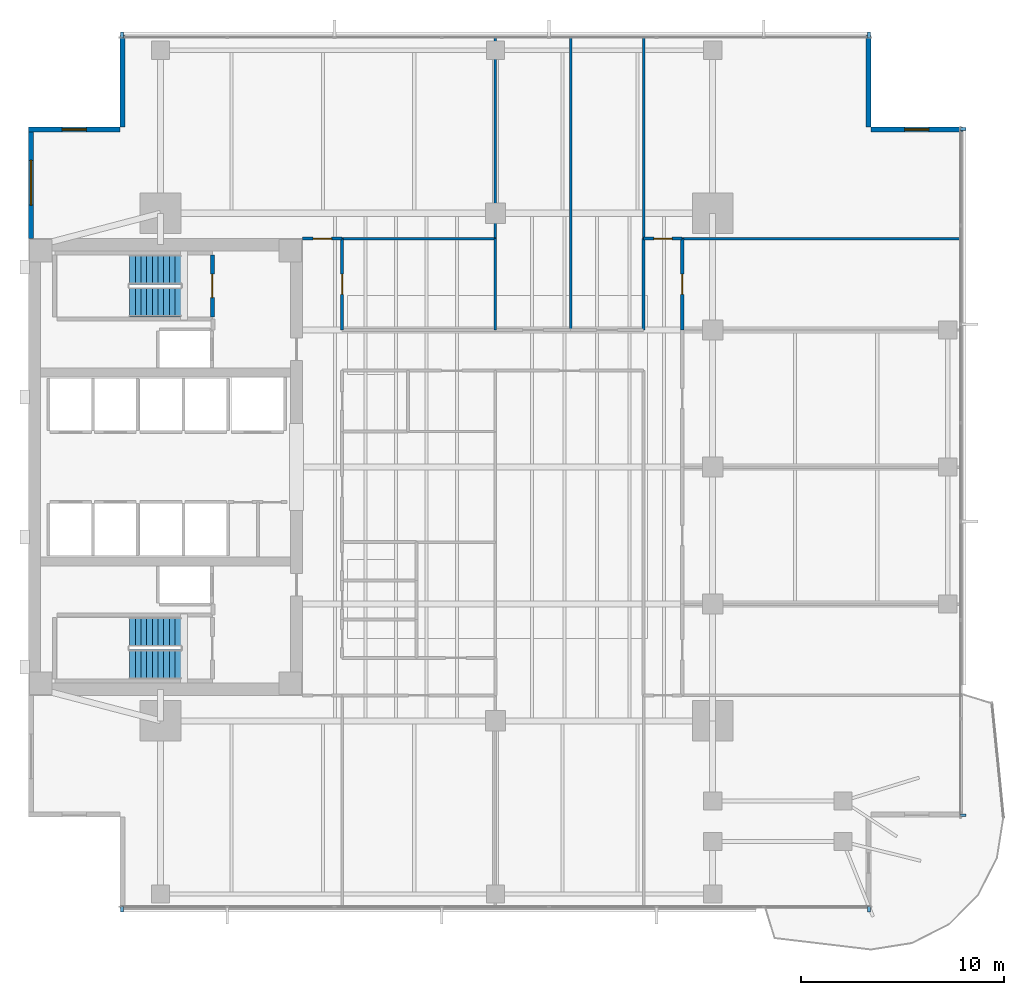
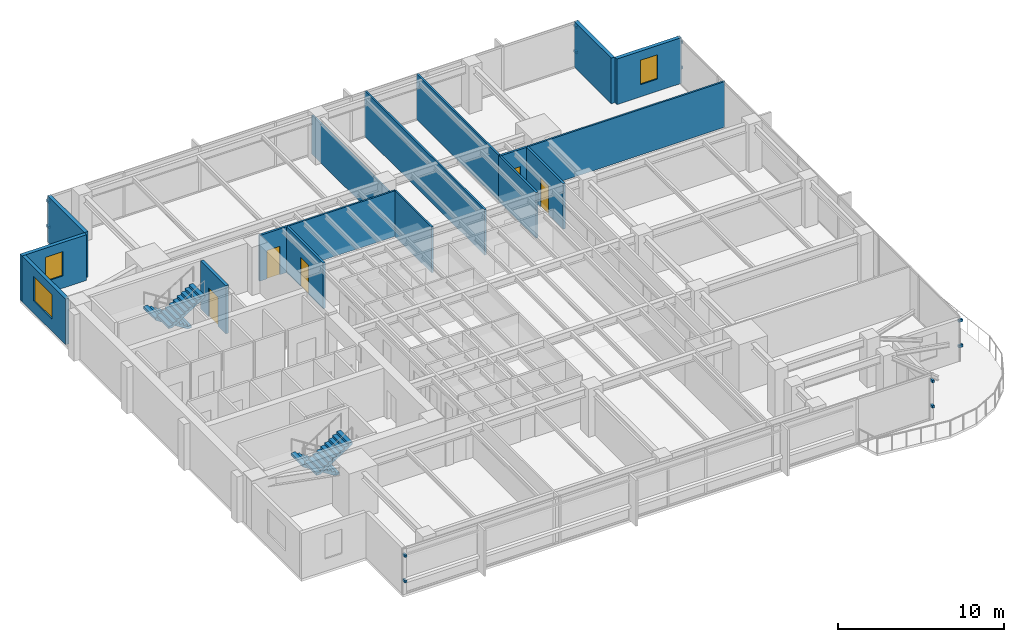
# One storey, part 10 of 14: 17 walls, 12 discrete accessories, 5 doors, 4 stair flights, 3 windows, 8 openings, 2 elements without a shape of their own.
"""IFC4 building model written with IfcOpenShell, lengths in metres."""

from ifc_helpers import new_model, si_unit, direction, frame, frame_2d, origin, origin_2d, place, context, subcontext, project, spatial, polyline, rectangle, outline, extrude, material, layer, layer_set, type_object, element, fill, aggregate, save


model = new_model("IFC4")

# Units and contexts
model_context = context("Model", 3, precision=1e-05, world=origin(), true_north=direction((0.0, 1.0)))
body_context = subcontext(model_context, "Body", "Model", "MODEL_VIEW")
ifc_project = project(units=[si_unit("LENGTHUNIT", "METRE"), si_unit("AREAUNIT", "SQUARE_METRE"), si_unit("VOLUMEUNIT", "CUBIC_METRE"), si_unit("PLANEANGLEUNIT", "RADIAN"), si_unit("MASSUNIT", "GRAM", prefix="KILO")], contexts=[model_context])

# Site, building, storey
site_placement = place(None, origin())
site = spatial("IfcSite", under=ifc_project, at=site_placement, CompositionType="ELEMENT")
building_placement = place(site_placement, origin())
building = spatial("IfcBuilding", under=site, at=building_placement, Name="Kinhvarn Gate Tower", CompositionType="ELEMENT")
storey_placement = place(building_placement, frame((0.0, 0.0, 155.5)))
storey = spatial("IfcBuildingStorey", under=building, at=storey_placement, Name="L41", CompositionType="ELEMENT", Elevation=155.5)

# Wall, opening, window
ifc_material_1 = material(Name="Fired architectural terracotta", Category="masonry")
ifc_layer_1 = layer(ifc_material_1, 0.25)
ifc_layer_set_1 = layer_set([ifc_layer_1], Name="Fired architectural terracotta")
wall_type_1 = type_object("IfcWallType", Name="WL-EXT-250", PredefinedType="SOLIDWALL", material=ifc_layer_set_1)
wall_1_placement = place(storey_placement, frame((4.625, 42.0, 0.0), z_axis=(0.0, 0.0, 1.0), x_axis=(0.0, -1.0, 0.0)))
wall_1 = element("IfcWall", 1, at=wall_1_placement, inside=storey, type_object=wall_type_1, Name="Exterior Solidwall Wall EW-250 (L41 West-North)", PredefinedType="SOLIDWALL", context=body_context, shape_type="SweptSolid", body=[
    extrude(rectangle(XDim=5.5, YDim=0.25, at=frame_2d((2.75, 0.0))), origin(), (0.0, 0.0, 1.0), 3.3701171875),
])
opening_1_placement = place(wall_1_placement, frame((1.64990234375, 0.0, 0.89990234375)))
opening_1 = element("IfcOpeningElement", 2, at=opening_1_placement, cuts=wall_1, Name="Opening WN-01", PredefinedType="OPENING", context=body_context, shape_type="SweptSolid", body=[
    extrude(rectangle(XDim=2.199951171875, YDim=1.800048828125, at=frame_2d((1.10009765625, 0.89990234375))), frame((0.0, 0.135009765625, 0.0), z_axis=(0.0, -1.0, 0.0), x_axis=(1.0, 0.0, 0.0)), (0.0, 0.0, 1.0), 0.27001953125),
])
ifc_material_2 = material(Name="Clear low-e double glazing", Category="glass")
window_type_1 = type_object("IfcWindowType", Name="WIN-RIB-2200", PartitioningType="SINGLE_PANEL", PredefinedType="WINDOW", material=ifc_material_2)
window_1_placement = place(opening_1_placement, origin())
window_1 = element("IfcWindow", 3, at=window_1_placement, inside=storey, type_object=window_type_1, Name="West Flank Double-Glazed Ribbon Window 2200x1800 mm (L41)", OverallHeight=1.800048828125, OverallWidth=2.199951171875, PartitioningType="SINGLE_PANEL", PredefinedType="WINDOW", context=body_context, shape_type="SweptSolid", body=[
    extrude(rectangle(XDim=2.199951171875, YDim=1.800048828125, at=frame_2d((1.10009765625, 0.89990234375))), frame((0.0, 0.030029296875, 0.0), z_axis=(0.0, -1.0, 0.0), x_axis=(1.0, 0.0, 0.0)), (0.0, 0.0, 1.0), 0.06005859375),
])
fill(opening_1, window_1)

wall_2_placement = place(storey_placement, frame((50.5, 41.875, 0.0), z_axis=(0.0, 0.0, 1.0), x_axis=(-1.0, 0.0, 0.0)))
wall_2 = element("IfcWall", 4, at=wall_2_placement, inside=storey, type_object=wall_type_1, Name="Exterior Solidwall Wall EW-250 (L41 NE-Notch-1)", PredefinedType="SOLIDWALL", context=body_context, shape_type="SweptSolid", body=[
    extrude(rectangle(XDim=4.5, YDim=0.25, at=frame_2d((2.25, 0.0))), origin(), (0.0, 0.0, 1.0), 3.3701171875),
])
opening_2_placement = place(wall_2_placement, frame((1.64990234375, 0.0, 0.89990234375)))
opening_2 = element("IfcOpeningElement", 5, at=opening_2_placement, cuts=wall_2, Name="Opening WN-02", PredefinedType="OPENING", context=body_context, shape_type="SweptSolid", body=[
    extrude(rectangle(XDim=1.199951171875, YDim=1.800048828125, at=frame_2d((0.60009765625, 0.89990234375))), frame((0.0, 0.135009765625, 0.0), z_axis=(0.0, -1.0, 0.0), x_axis=(1.0, 0.0, 0.0)), (0.0, 0.0, 1.0), 0.27001953125),
])
window_type_2 = type_object("IfcWindowType", Name="WIN-NTC-1200", PartitioningType="SINGLE_PANEL", PredefinedType="WINDOW", material=ifc_material_2)
window_2_placement = place(opening_2_placement, origin())
window_2 = element("IfcWindow", 6, at=window_2_placement, inside=storey, type_object=window_type_2, Name="Recessed Corner Notch Punched Window 1200x1800 mm (L41)", OverallHeight=1.800048828125, OverallWidth=1.199951171875, PartitioningType="SINGLE_PANEL", PredefinedType="WINDOW", context=body_context, shape_type="SweptSolid", body=[
    extrude(rectangle(XDim=1.199951171875, YDim=1.800048828125, at=frame_2d((0.60009765625, 0.89990234375))), frame((0.0, 0.030029296875, 0.0), z_axis=(0.0, -1.0, 0.0), x_axis=(1.0, 0.0, 0.0)), (0.0, 0.0, 1.0), 0.06005859375),
])
fill(opening_2, window_2)

# Walls
for number, where, z_axis, x_axis, name in (
    (7, (45.875, 42.0, 0.0), (0.0, 0.0, 1.0), (0.0, 1.0, 0.0), "Exterior Solidwall Wall EW-250 (L41 NE-Notch-2)"),
    (8, (9.125, 46.5, 0.0), (0.0, 0.0, 1.0), (0.0, -1.0, 0.0), "Exterior Solidwall Wall EW-250 (L41 NW-Notch-1)"),
):
    element("IfcWall", number, at=place(storey_placement, frame(where, z_axis=z_axis, x_axis=x_axis)), inside=storey, type_object=wall_type_1, Name=name, PredefinedType="SOLIDWALL", context=body_context, shape_type="SweptSolid", body=[
        extrude(rectangle(XDim=4.5, YDim=0.25, at=frame_2d((2.25, 0.0))), origin(), (0.0, 0.0, 1.0), 3.3701171875),
    ])

# Wall, opening, window
wall_3_placement = place(storey_placement, frame((9.0, 41.875, 0.0), z_axis=(0.0, 0.0, 1.0), x_axis=(-1.0, 0.0, 0.0)))
wall_3 = element("IfcWall", 9, at=wall_3_placement, inside=storey, type_object=wall_type_1, Name="Exterior Solidwall Wall EW-250 (L41 NW-Notch-2)", PredefinedType="SOLIDWALL", context=body_context, shape_type="SweptSolid", body=[
    extrude(rectangle(XDim=4.5, YDim=0.25, at=frame_2d((2.25, 0.0))), origin(), (0.0, 0.0, 1.0), 3.3701171875),
])
opening_3_placement = place(wall_3_placement, frame((1.64990234375, 0.0, 0.89990234375)))
opening_3 = element("IfcOpeningElement", 10, at=opening_3_placement, cuts=wall_3, Name="Opening WN-02", PredefinedType="OPENING", context=body_context, shape_type="SweptSolid", body=[
    extrude(rectangle(XDim=1.199951171875, YDim=1.800048828125, at=frame_2d((0.60009765625, 0.89990234375))), frame((0.0, 0.135009765625, 0.0), z_axis=(0.0, -1.0, 0.0), x_axis=(1.0, 0.0, 0.0)), (0.0, 0.0, 1.0), 0.27001953125),
])
window_3_placement = place(opening_3_placement, origin())
window_3 = element("IfcWindow", 11, at=window_3_placement, inside=storey, type_object=window_type_2, Name="Recessed Corner Notch Punched Window 1200x1800 mm (L41)", OverallHeight=1.800048828125, OverallWidth=1.199951171875, PartitioningType="SINGLE_PANEL", PredefinedType="WINDOW", context=body_context, shape_type="SweptSolid", body=[
    extrude(rectangle(XDim=1.199951171875, YDim=1.800048828125, at=frame_2d((0.60009765625, 0.89990234375))), frame((0.0, 0.030029296875, 0.0), z_axis=(0.0, -1.0, 0.0), x_axis=(1.0, 0.0, 0.0)), (0.0, 0.0, 1.0), 0.06005859375),
])
fill(opening_3, window_3)

# Walls
ifc_material_3 = material(Name="Gypsum acoustic partition board")
ifc_layer_2 = layer(ifc_material_3, 0.1201171875)
ifc_layer_set_2 = layer_set([ifc_layer_2], Name="Gypsum acoustic partition board")
wall_type_2 = type_object("IfcWallType", Name="WL-PRT-120", PredefinedType="PARTITIONING", material=ifc_layer_set_2)
wall_4_placement = place(storey_placement, frame((19.949951171875, 36.5, 0.0), z_axis=(0.0, 0.0, 1.0), x_axis=(1.0, 0.0, 0.0)))
element("IfcWall", 12, at=wall_4_placement, inside=storey, type_object=wall_type_2, Name="Interior Partition PW-120 (L41)", PredefinedType="PARTITIONING", context=body_context, shape_type="SweptSolid", body=[
    extrude(rectangle(XDim=7.550048828125, YDim=0.1201171875, at=frame_2d((3.77490234375, 0.0))), origin(), (0.0, 0.0, 1.0), 3.3701171875),
])
wall_5_placement = place(storey_placement, frame((27.5, 32.0, 0.0), z_axis=(0.0, 0.0, 1.0), x_axis=(0.0, 1.0, 0.0)))
element("IfcWall", 13, at=wall_5_placement, inside=storey, type_object=wall_type_2, Name="Interior Partition PW-120 (L41)", PredefinedType="PARTITIONING", context=body_context, shape_type="SweptSolid", body=[
    extrude(rectangle(XDim=4.5, YDim=0.1201171875, at=frame_2d((2.25, 0.0))), origin(), (0.0, 0.0, 1.0), 3.3701171875),
])
wall_6_placement = place(storey_placement, frame((27.5, 36.5, 0.0), z_axis=(0.0, 0.0, 1.0), x_axis=(0.0, 1.0, 0.0)))
element("IfcWall", 14, at=wall_6_placement, inside=storey, type_object=wall_type_2, Name="Interior Partition PW-120 (L41)", PredefinedType="PARTITIONING", context=body_context, shape_type="SweptSolid", body=[
    extrude(rectangle(XDim=9.989990234375, YDim=0.1201171875, at=frame_2d((4.9951171875, 0.0))), origin(), (0.0, 0.0, 1.0), 2.8701171875),
])
wall_7_placement = place(storey_placement, frame((31.199951171875, 32.0, 0.0), z_axis=(0.0, 0.0, 1.0), x_axis=(0.0, 1.0, 0.0)))
element("IfcWall", 15, at=wall_7_placement, inside=storey, type_object=wall_type_2, Name="Interior Partition PW-120 (L41)", PredefinedType="PARTITIONING", context=body_context, shape_type="SweptSolid", body=[
    extrude(rectangle(XDim=14.489990234375, YDim=0.1201171875, at=frame_2d((7.2451171875, 0.0))), origin(), (0.0, 0.0, 1.0), 3.3701171875),
])
wall_8_placement = place(storey_placement, frame((34.800048828125, 36.5, 0.0), z_axis=(0.0, 0.0, 1.0), x_axis=(0.0, 1.0, 0.0)))
element("IfcWall", 16, at=wall_8_placement, inside=storey, type_object=wall_type_2, Name="Interior Partition PW-120 (L41)", PredefinedType="PARTITIONING", context=body_context, shape_type="SweptSolid", body=[
    extrude(rectangle(XDim=9.989990234375, YDim=0.1201171875, at=frame_2d((4.9951171875, 0.0))), origin(), (0.0, 0.0, 1.0), 3.3701171875),
])
wall_9_placement = place(storey_placement, frame((36.699951171875, 36.5, 0.0), z_axis=(0.0, 0.0, 1.0), x_axis=(1.0, 0.0, 0.0)))
element("IfcWall", 17, at=wall_9_placement, inside=storey, type_object=wall_type_2, Name="Interior Partition PW-120 (L41)", PredefinedType="PARTITIONING", context=body_context, shape_type="SweptSolid", body=[
    extrude(rectangle(XDim=13.7900390625, YDim=0.1201171875, at=frame_2d((6.89501953125, 0.0))), origin(), (0.0, 0.0, 1.0), 3.3701171875),
])

# Wall, opening, door
ifc_layer_3 = layer(ifc_material_3, 0.14990234375)
ifc_layer_set_3 = layer_set([ifc_layer_3], Name="Gypsum acoustic partition board")
wall_type_3 = type_object("IfcWallType", Name="WL-PRT-150F", PredefinedType="PARTITIONING", material=ifc_layer_set_3)
wall_10_placement = place(storey_placement, frame((19.949951171875, 32.0, 0.0), z_axis=(0.0, 0.0, 1.0), x_axis=(0.0, 1.0, 0.0)))
wall_10 = element("IfcWall", 18, at=wall_10_placement, inside=storey, type_object=wall_type_3, Name="Interior Partition PW-150F (L41)", PredefinedType="PARTITIONING", context=body_context, shape_type="SweptSolid", body=[
    extrude(rectangle(XDim=4.5, YDim=0.14990234375, at=frame_2d((2.25, 0.0))), origin(), (0.0, 0.0, 1.0), 3.3701171875),
])
opening_4_placement = place(wall_10_placement, frame((1.75, 0.0, 0.0)))
opening_4 = element("IfcOpeningElement", 19, at=opening_4_placement, cuts=wall_10, Name="Opening ID-02", PredefinedType="OPENING", context=body_context, shape_type="SweptSolid", body=[
    extrude(rectangle(XDim=1.0, YDim=2.14990234375, at=frame_2d((0.5, 1.074951171875))), frame((0.0, 0.0849609375, 0.0), z_axis=(0.0, -1.0, 0.0), x_axis=(1.0, 0.0, 0.0)), (0.0, 0.0, 1.0), 0.169921875),
])
ifc_material_4 = material(Name="Anodised aluminium AW-6063", Category="aluminium")
door_type_1 = type_object("IfcDoorType", Name="DR-INT-1000", OperationType="NOTDEFINED", PredefinedType="DOOR", material=ifc_material_4)
door_1_placement = place(opening_4_placement, origin())
door_1 = element("IfcDoor", 20, at=door_1_placement, inside=storey, type_object=door_type_1, Name="Standard Office & Meeting Room Door 1000x2150 mm (L41)", OperationType="SINGLE_SWING_RIGHT", OverallHeight=2.14990234375, OverallWidth=1.0, PredefinedType="DOOR", context=body_context, shape_type="SweptSolid", body=[
    extrude(rectangle(XDim=1.0, YDim=2.14990234375, at=frame_2d((0.5, 1.074951171875))), frame((0.0, 0.02490234375, 0.0), z_axis=(0.0, -1.0, 0.0), x_axis=(1.0, 0.0, 0.0)), (0.0, 0.0, 1.0), 0.050048828125),
])
fill(opening_4, door_1)

wall_11_placement = place(storey_placement, frame((18.0, 36.5, 0.0), z_axis=(0.0, 0.0, 1.0), x_axis=(1.0, 0.0, 0.0)))
wall_11 = element("IfcWall", 21, at=wall_11_placement, inside=storey, type_object=wall_type_3, Name="Interior Partition PW-150F (L41)", PredefinedType="PARTITIONING", context=body_context, shape_type="SweptSolid", body=[
    extrude(rectangle(XDim=1.949951171875, YDim=0.14990234375, at=frame_2d((0.97509765625, 0.0))), origin(), (0.0, 0.0, 1.0), 3.3701171875),
])
opening_5_placement = place(wall_11_placement, frame((0.52490234375, 0.0, 0.0)))
opening_5 = element("IfcOpeningElement", 22, at=opening_5_placement, cuts=wall_11, Name="Opening ID-03", PredefinedType="OPENING", context=body_context, shape_type="SweptSolid", body=[
    extrude(rectangle(XDim=0.89990234375, YDim=2.10009765625, at=frame_2d((0.449951171875, 1.050048828125))), frame((0.0, 0.0849609375, 0.0), z_axis=(0.0, -1.0, 0.0), x_axis=(1.0, 0.0, 0.0)), (0.0, 0.0, 1.0), 0.169921875),
])
door_type_2 = type_object("IfcDoorType", Name="DR-INT-900", OperationType="NOTDEFINED", PredefinedType="DOOR", material=ifc_material_4)
door_2_placement = place(opening_5_placement, origin())
door_2 = element("IfcDoor", 23, at=door_2_placement, inside=storey, type_object=door_type_2, Name="Cellular Office & Restroom Door 900x2100 mm (L41)", OperationType="SINGLE_SWING_RIGHT", OverallHeight=2.10009765625, OverallWidth=0.89990234375, PredefinedType="DOOR", context=body_context, shape_type="SweptSolid", body=[
    extrude(rectangle(XDim=0.89990234375, YDim=2.10009765625, at=frame_2d((0.449951171875, 1.050048828125))), frame((0.0, 0.02490234375, 0.0), z_axis=(0.0, -1.0, 0.0), x_axis=(1.0, 0.0, 0.0)), (0.0, 0.0, 1.0), 0.050048828125),
])
fill(opening_5, door_2)

# Wall
wall_12_placement = place(storey_placement, frame((34.800048828125, 32.0, 0.0), z_axis=(0.0, 0.0, 1.0), x_axis=(0.0, 1.0, 0.0)))
element("IfcWall", 24, at=wall_12_placement, inside=storey, type_object=wall_type_3, Name="Interior Partition PW-150F (L41)", PredefinedType="PARTITIONING", context=body_context, shape_type="SweptSolid", body=[
    extrude(rectangle(XDim=4.5, YDim=0.14990234375, at=frame_2d((2.25, 0.0))), origin(), (0.0, 0.0, 1.0), 3.3701171875),
])

# Wall, opening, door
wall_13_placement = place(storey_placement, frame((36.699951171875, 32.0, 0.0), z_axis=(0.0, 0.0, 1.0), x_axis=(0.0, 1.0, 0.0)))
wall_13 = element("IfcWall", 25, at=wall_13_placement, inside=storey, type_object=wall_type_3, Name="Interior Partition PW-150F (L41)", PredefinedType="PARTITIONING", context=body_context, shape_type="SweptSolid", body=[
    extrude(rectangle(XDim=4.5, YDim=0.14990234375, at=frame_2d((2.25, 0.0))), origin(), (0.0, 0.0, 1.0), 3.3701171875),
])
opening_6_placement = place(wall_13_placement, frame((1.75, 0.0, 0.0)))
opening_6 = element("IfcOpeningElement", 26, at=opening_6_placement, cuts=wall_13, Name="Opening ID-02", PredefinedType="OPENING", context=body_context, shape_type="SweptSolid", body=[
    extrude(rectangle(XDim=1.0, YDim=2.14990234375, at=frame_2d((0.5, 1.074951171875))), frame((0.0, 0.0849609375, 0.0), z_axis=(0.0, -1.0, 0.0), x_axis=(1.0, 0.0, 0.0)), (0.0, 0.0, 1.0), 0.169921875),
])
door_3_placement = place(opening_6_placement, origin())
door_3 = element("IfcDoor", 27, at=door_3_placement, inside=storey, type_object=door_type_1, Name="Standard Office & Meeting Room Door 1000x2150 mm (L41)", OperationType="SINGLE_SWING_LEFT", OverallHeight=2.14990234375, OverallWidth=1.0, PredefinedType="DOOR", context=body_context, shape_type="SweptSolid", body=[
    extrude(rectangle(XDim=1.0, YDim=2.14990234375, at=frame_2d((0.5, 1.074951171875))), frame((0.0, 0.02490234375, 0.0), z_axis=(0.0, -1.0, 0.0), x_axis=(1.0, 0.0, 0.0)), (0.0, 0.0, 1.0), 0.050048828125),
])
fill(opening_6, door_3)

wall_14_placement = place(storey_placement, frame((34.800048828125, 36.5, 0.0), z_axis=(0.0, 0.0, 1.0), x_axis=(1.0, 0.0, 0.0)))
wall_14 = element("IfcWall", 28, at=wall_14_placement, inside=storey, type_object=wall_type_3, Name="Interior Partition PW-150F (L41)", PredefinedType="PARTITIONING", context=body_context, shape_type="SweptSolid", body=[
    extrude(rectangle(XDim=1.89990234375, YDim=0.14990234375, at=frame_2d((0.949951171875, 0.0))), origin(), (0.0, 0.0, 1.0), 3.3701171875),
])
opening_7_placement = place(wall_14_placement, frame((0.5, 0.0, 0.0)))
opening_7 = element("IfcOpeningElement", 29, at=opening_7_placement, cuts=wall_14, Name="Opening ID-03", PredefinedType="OPENING", context=body_context, shape_type="SweptSolid", body=[
    extrude(rectangle(XDim=0.89990234375, YDim=2.10009765625, at=frame_2d((0.449951171875, 1.050048828125))), frame((0.0, 0.0849609375, 0.0), z_axis=(0.0, -1.0, 0.0), x_axis=(1.0, 0.0, 0.0)), (0.0, 0.0, 1.0), 0.169921875),
])
door_4_placement = place(opening_7_placement, origin())
door_4 = element("IfcDoor", 30, at=door_4_placement, inside=storey, type_object=door_type_2, Name="Cellular Office & Restroom Door 900x2100 mm (L41)", OperationType="SINGLE_SWING_RIGHT", OverallHeight=2.10009765625, OverallWidth=0.89990234375, PredefinedType="DOOR", context=body_context, shape_type="SweptSolid", body=[
    extrude(rectangle(XDim=0.89990234375, YDim=2.10009765625, at=frame_2d((0.449951171875, 1.050048828125))), frame((0.0, 0.02490234375, 0.0), z_axis=(0.0, -1.0, 0.0), x_axis=(1.0, 0.0, 0.0)), (0.0, 0.0, 1.0), 0.050048828125),
])
fill(opening_7, door_4)

ifc_material_5 = material(Name="Concrete C40/50", Category="concrete")
ifc_layer_4 = layer(ifc_material_5, 0.199951171875)
ifc_layer_set_4 = layer_set([ifc_layer_4], Name="Concrete C40/50")
wall_type_4 = type_object("IfcWallType", Name="WL-SHF-200", PredefinedType="SOLIDWALL", material=ifc_layer_set_4)
wall_15_placement = place(storey_placement, frame((13.56005859375, 32.64990234375, 0.0), z_axis=(0.0, 0.0, 1.0), x_axis=(0.0, 1.0, 0.0)))
wall_15 = element("IfcWall", 31, at=wall_15_placement, inside=storey, type_object=wall_type_4, Name="Stair ST2 East Entry Wall (L41)", PredefinedType="SOLIDWALL", context=body_context, shape_type="SweptSolid", body=[
    extrude(rectangle(XDim=3.050048828125, YDim=0.199951171875, at=frame_2d((1.52490234375, 0.0))), origin(), (0.0, 0.0, 1.0), 3.550048828125),
])
opening_8_placement = place(wall_15_placement, frame((0.949951171875, 0.0, 0.0)))
opening_8 = element("IfcOpeningElement", 32, at=opening_8_placement, cuts=wall_15, Name="Opening FD-01", PredefinedType="OPENING", context=body_context, shape_type="SweptSolid", body=[
    extrude(rectangle(XDim=1.14990234375, YDim=2.14990234375, at=frame_2d((0.574951171875, 1.074951171875))), frame((0.0, 0.10986328125, 0.0), z_axis=(0.0, -1.0, 0.0), x_axis=(1.0, 0.0, 0.0)), (0.0, 0.0, 1.0), 0.219970703125),
])
door_type_3 = type_object("IfcDoorType", Name="DR-ST-1150", OperationType="NOTDEFINED", PredefinedType="DOOR", material=ifc_material_4)
door_5_placement = place(opening_8_placement, origin())
door_5 = element("IfcDoor", 33, at=door_5_placement, inside=storey, type_object=door_type_3, Name="Exit Stair ST2 Fire Door (L41)", OperationType="SINGLE_SWING_RIGHT", OverallHeight=2.14990234375, OverallWidth=1.14990234375, PredefinedType="DOOR", context=body_context, shape_type="SweptSolid", body=[
    extrude(rectangle(XDim=1.14990234375, YDim=2.14990234375, at=frame_2d((0.574951171875, 1.074951171875))), frame((0.0, 0.02490234375, 0.0), z_axis=(0.0, -1.0, 0.0), x_axis=(1.0, 0.0, 0.0)), (0.0, 0.0, 1.0), 0.050048828125),
])
fill(opening_8, door_5)

# Stair, stair flights
stair_type = type_object("IfcStairType", Name="STR-DLG-178", PredefinedType="HALF_TURN_STAIR", material=ifc_material_5)
stair_1_placement = place(storey_placement, origin())
stair_1 = element("IfcStair", 34, at=stair_1_placement, inside=storey, type_object=stair_type, Name="L41 Core Smokeproof Exit Stair ST1", PredefinedType="HALF_TURN_STAIR")
stair_flight_type = type_object("IfcStairFlightType", Name="STF-DLG-178", PredefinedType="STRAIGHT", material=ifc_material_5)
stair_flight_1_placement = place(storey_placement, frame((12.0, 17.125, 0.0), z_axis=(0.0, 0.0, 1.0), x_axis=(-1.0, 0.0, 0.0)))
stair_flight_1 = element("IfcStairFlight", 35, at=stair_flight_1_placement, type_object=stair_flight_type, Name="ST1 flight 1", NumberOfRisers=10, NumberOfTreads=9, PredefinedType="STRAIGHT", RiserHeight=0.1775, TreadLength=0.28, context=body_context, shape_type="SweptSolid", body=[
    extrude(outline(polyline([(0.0, 0.0), (0.0, 0.177490234375), (0.280029296875, 0.177490234375), (0.280029296875, 0.35498046875), (0.56005859375, 0.35498046875), (0.56005859375, 0.532470703125), (0.840087890625, 0.532470703125), (0.840087890625, 0.7099609375), (1.1201171875, 0.7099609375), (1.1201171875, 0.887451171875), (1.39990234375, 0.887451171875), (1.39990234375, 1.06494140625), (1.679931640625, 1.06494140625), (1.679931640625, 1.242431640625), (1.9599609375, 1.242431640625), (1.9599609375, 1.419921875), (2.239990234375, 1.419921875), (2.239990234375, 1.597412109375), (2.52001953125, 1.597412109375), (2.52001953125, 1.77490234375), (2.52001953125, 1.419921875), (0.280029296875, 0.0), (0.0, 0.0)])), frame((0.0, 0.72509765625, 0.0), z_axis=(0.0, -1.0, 0.0), x_axis=(1.0, 0.0, 0.0)), (0.0, 0.0, 1.0), 1.449951171875),
])
stair_flight_2_placement = place(storey_placement, frame((9.47998046875, 15.52490234375, 1.77490234375), z_axis=(0.0, 0.0, 1.0), x_axis=(1.0, 0.0, 0.0)))
stair_flight_2 = element("IfcStairFlight", 36, at=stair_flight_2_placement, type_object=stair_flight_type, Name="ST1 flight 2", NumberOfRisers=10, NumberOfTreads=9, PredefinedType="STRAIGHT", RiserHeight=0.1775, TreadLength=0.28, context=body_context, shape_type="SweptSolid", body=[
    extrude(outline(polyline([(0.0, 0.0), (0.0, 0.177490234375), (0.280029296875, 0.177490234375), (0.280029296875, 0.35498046875), (0.56005859375, 0.35498046875), (0.56005859375, 0.532470703125), (0.840087890625, 0.532470703125), (0.840087890625, 0.7099609375), (1.1201171875, 0.7099609375), (1.1201171875, 0.887451171875), (1.39990234375, 0.887451171875), (1.39990234375, 1.06494140625), (1.679931640625, 1.06494140625), (1.679931640625, 1.242431640625), (1.9599609375, 1.242431640625), (1.9599609375, 1.419921875), (2.239990234375, 1.419921875), (2.239990234375, 1.597412109375), (2.52001953125, 1.597412109375), (2.52001953125, 1.77490234375), (2.52001953125, 1.419921875), (0.280029296875, 0.0), (0.0, 0.0)])), frame((0.0, 0.72509765625, 0.0), z_axis=(0.0, -1.0, 0.0), x_axis=(1.0, 0.0, 0.0)), (0.0, 0.0, 1.0), 1.449951171875),
])
aggregate(stair_1, [stair_flight_1, stair_flight_2])

stair_2_placement = place(storey_placement, origin())
stair_2 = element("IfcStair", 37, at=stair_2_placement, inside=storey, type_object=stair_type, Name="L41 Core Smokeproof Exit Stair ST2", PredefinedType="HALF_TURN_STAIR")
stair_flight_3_placement = place(storey_placement, frame((12.0, 34.97509765625, 0.0), z_axis=(0.0, 0.0, 1.0), x_axis=(-1.0, 0.0, 0.0)))
stair_flight_3 = element("IfcStairFlight", 38, at=stair_flight_3_placement, type_object=stair_flight_type, Name="ST2 flight 1", NumberOfRisers=10, NumberOfTreads=9, PredefinedType="STRAIGHT", RiserHeight=0.1775, TreadLength=0.28, context=body_context, shape_type="SweptSolid", body=[
    extrude(outline(polyline([(0.0, 0.0), (0.0, 0.177490234375), (0.280029296875, 0.177490234375), (0.280029296875, 0.35498046875), (0.56005859375, 0.35498046875), (0.56005859375, 0.532470703125), (0.840087890625, 0.532470703125), (0.840087890625, 0.7099609375), (1.1201171875, 0.7099609375), (1.1201171875, 0.887451171875), (1.39990234375, 0.887451171875), (1.39990234375, 1.06494140625), (1.679931640625, 1.06494140625), (1.679931640625, 1.242431640625), (1.9599609375, 1.242431640625), (1.9599609375, 1.419921875), (2.239990234375, 1.419921875), (2.239990234375, 1.597412109375), (2.52001953125, 1.597412109375), (2.52001953125, 1.77490234375), (2.52001953125, 1.419921875), (0.280029296875, 0.0), (0.0, 0.0)])), frame((0.0, 0.72509765625, 0.0), z_axis=(0.0, -1.0, 0.0), x_axis=(1.0, 0.0, 0.0)), (0.0, 0.0, 1.0), 1.449951171875),
])
stair_flight_4_placement = place(storey_placement, frame((9.47998046875, 33.375, 1.77490234375), z_axis=(0.0, 0.0, 1.0), x_axis=(1.0, 0.0, 0.0)))
stair_flight_4 = element("IfcStairFlight", 39, at=stair_flight_4_placement, type_object=stair_flight_type, Name="ST2 flight 2", NumberOfRisers=10, NumberOfTreads=9, PredefinedType="STRAIGHT", RiserHeight=0.1775, TreadLength=0.28, context=body_context, shape_type="SweptSolid", body=[
    extrude(outline(polyline([(0.0, 0.0), (0.0, 0.177490234375), (0.280029296875, 0.177490234375), (0.280029296875, 0.35498046875), (0.56005859375, 0.35498046875), (0.56005859375, 0.532470703125), (0.840087890625, 0.532470703125), (0.840087890625, 0.7099609375), (1.1201171875, 0.7099609375), (1.1201171875, 0.887451171875), (1.39990234375, 0.887451171875), (1.39990234375, 1.06494140625), (1.679931640625, 1.06494140625), (1.679931640625, 1.242431640625), (1.9599609375, 1.242431640625), (1.9599609375, 1.419921875), (2.239990234375, 1.419921875), (2.239990234375, 1.597412109375), (2.52001953125, 1.597412109375), (2.52001953125, 1.77490234375), (2.52001953125, 1.419921875), (0.280029296875, 0.0), (0.0, 0.0)])), frame((0.0, 0.72509765625, 0.0), z_axis=(0.0, -1.0, 0.0), x_axis=(1.0, 0.0, 0.0)), (0.0, 0.0, 1.0), 1.449951171875),
])
aggregate(stair_2, [stair_flight_3, stair_flight_4])

# Discrete accessories
discrete_accessory_type = type_object("IfcDiscreteAccessoryType", Name="ACC-BRK-01", PredefinedType="BRACKET", material=ifc_material_4)
for number, where, z_axis, x_axis, name in (
    (40, (9.10009765625, 3.469970703125, 0.9599609375), (0.0, 0.0, 1.0), (1.0, 0.0, 0.0), "Baguette Support Bracket BK-01 (L41)"),
    (41, (9.10009765625, 3.469970703125, 2.830078125), (0.0, 0.0, 1.0), (1.0, 0.0, 0.0), "Baguette Support Bracket BK-01 (L41)"),
    (42, (45.89990234375, 3.469970703125, 0.9599609375), (0.0, 0.0, 1.0), (1.0, 0.0, 0.0), "Baguette Support Bracket BK-01 (L41)"),
    (43, (45.89990234375, 3.469970703125, 2.830078125), (0.0, 0.0, 1.0), (1.0, 0.0, 0.0), "Baguette Support Bracket BK-01 (L41)"),
    (44, (45.89990234375, 46.530029296875, 0.9599609375), (0.0, 0.0, 1.0), (-1.0, 0.0, 0.0), "Baguette Support Bracket BK-01 (L41)"),
    (45, (45.89990234375, 46.530029296875, 2.830078125), (0.0, 0.0, 1.0), (-1.0, 0.0, 0.0), "Baguette Support Bracket BK-01 (L41)"),
    (46, (9.10009765625, 46.530029296875, 0.9599609375), (0.0, 0.0, 1.0), (-1.0, 0.0, 0.0), "Baguette Support Bracket BK-01 (L41)"),
    (47, (9.10009765625, 46.530029296875, 2.830078125), (0.0, 0.0, 1.0), (-1.0, 0.0, 0.0), "Baguette Support Bracket BK-01 (L41)"),
    (48, (50.530029296875, 8.10009765625, 0.9599609375), (0.0, 0.0, 1.0), (0.0, 1.0, 0.0), "Baguette Support Bracket BK-01 (L41)"),
    (49, (50.530029296875, 8.10009765625, 2.830078125), (0.0, 0.0, 1.0), (0.0, 1.0, 0.0), "Baguette Support Bracket BK-01 (L41)"),
    (50, (50.530029296875, 41.89990234375, 0.9599609375), (0.0, 0.0, 1.0), (0.0, 1.0, 0.0), "Baguette Support Bracket BK-01 (L41)"),
    (51, (50.530029296875, 41.89990234375, 2.830078125), (0.0, 0.0, 1.0), (0.0, 1.0, 0.0), "Baguette Support Bracket BK-01 (L41)"),
):
    element("IfcDiscreteAccessory", number, at=place(storey_placement, frame(where, z_axis=z_axis, x_axis=x_axis)), inside=storey, type_object=discrete_accessory_type, Name=name, PredefinedType="BRACKET", context=body_context, shape_type="SweptSolid", body=[
        extrude(rectangle(XDim=0.139892578125, YDim=0.280029296875, at=origin_2d()), origin(), (0.0, 0.0, 1.0), 0.179931640625),
    ])

save(model, "model.ifc")
